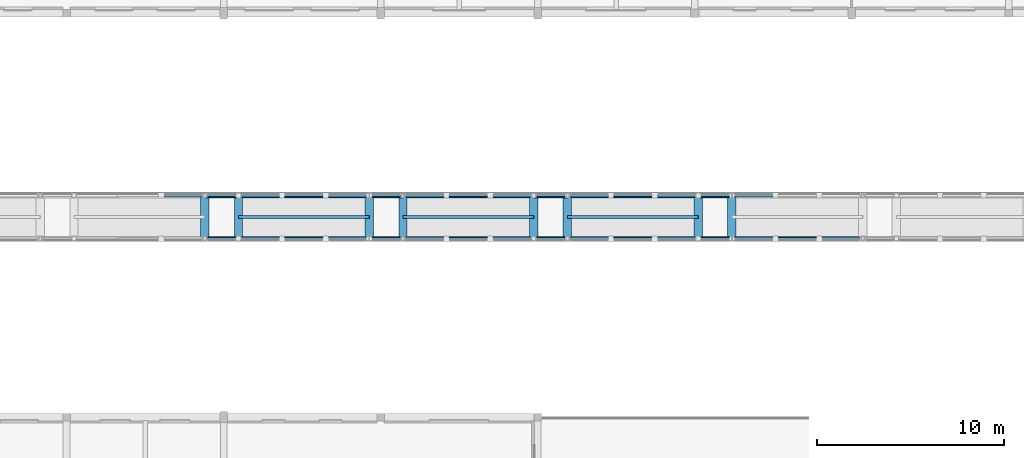
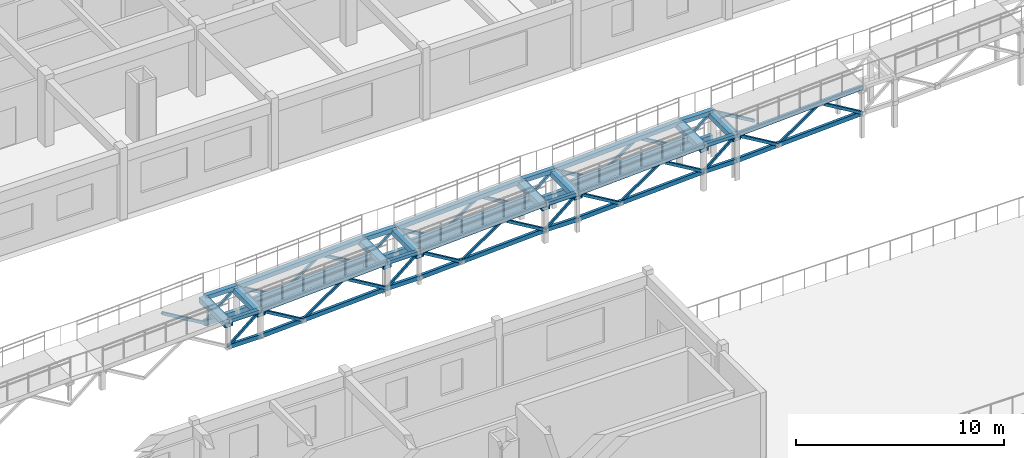
# One storey, part 9 of 41: 61 members, 11 beams.
"""IFC4 building model written with IfcOpenShell, lengths in metres."""

from ifc_helpers import new_model, si_unit, direction, frame, origin, origin_2d, place, context, subcontext, project, spatial, hollow_rectangle, i_section, extrude, material, material_profile, profile_set, type_object, element, save


model = new_model("IFC4")

# Units and contexts
model_context = context("Model", 3, precision=1e-05, world=origin(), true_north=direction((0.0, 1.0)))
body_context = subcontext(model_context, "Body", "Model", "MODEL_VIEW")
ifc_project = project(units=[si_unit("LENGTHUNIT", "METRE"), si_unit("AREAUNIT", "SQUARE_METRE"), si_unit("VOLUMEUNIT", "CUBIC_METRE"), si_unit("PLANEANGLEUNIT", "RADIAN"), si_unit("MASSUNIT", "GRAM", prefix="KILO")], contexts=[model_context])

# Site, building, storey
site_placement = place(None, origin())
site = spatial("IfcSite", under=ifc_project, at=site_placement, CompositionType="ELEMENT")
building_placement = place(site_placement, origin())
building = spatial("IfcBuilding", under=site, at=building_placement, Name="Malvenik Polytechnic", CompositionType="ELEMENT")
storey_placement = place(building_placement, frame((0.0, 0.0, 17.699951171875)))
storey = spatial("IfcBuildingStorey", under=building, at=storey_placement, Name="L04", CompositionType="ELEMENT", Elevation=17.699951171875)

# Beams
ifc_material_1 = material(Name="Steel S355J2H", Category="steel")
ifc_material_profile_1 = material_profile(ifc_material_1, hollow_rectangle(XDim=0.449951171875, YDim=0.300048828125, WallThickness=0.012451171875, at=origin_2d()), Name="RHS 450x300x12.5")
ifc_profile_set_1 = profile_set([ifc_material_profile_1], Name="Steel S355J2H")
beam_type_1 = type_object("IfcBeamType", Name="STR-BM-SB-07", PredefinedType="BEAM", material=ifc_profile_set_1)
for number, where, z_axis, x_axis, name in (
    (1, (66.199951171875, 103.050048828125, 1.382080078125), (0.0, 1.0, 0.0), (-1.0, 0.0, 0.0), "Ramp Joint Transom RB-03 #9"),
    (2, (68.0, 103.050048828125, 1.382080078125), (0.0, 1.0, 0.0), (-1.0, 0.0, 0.0), "Ramp Joint Transom RB-03 #10"),
    (3, (75.0, 103.050048828125, 1.73193359375), (0.0, 1.0, 0.0), (-1.0, 0.0, 0.0), "Ramp Joint Transom RB-03 #11"),
    (4, (76.800048828125, 103.050048828125, 1.73193359375), (0.0, 1.0, 0.0), (-1.0, 0.0, 0.0), "Ramp Joint Transom RB-03 #12"),
    (5, (83.800048828125, 103.050048828125, 2.08203125), (0.0, 1.0, 0.0), (-1.0, 0.0, 0.0), "Ramp Joint Transom RB-03 #13"),
    (6, (85.60009765625, 103.050048828125, 2.08203125), (0.0, 1.0, 0.0), (-1.0, 0.0, 0.0), "Ramp Joint Transom RB-03 #14"),
    (7, (92.60009765625, 103.050048828125, 2.43212890625), (0.0, 1.0, 0.0), (-1.0, 0.0, 0.0), "Ramp Joint Transom RB-03 #15"),
    (8, (94.39990234375, 103.050048828125, 2.43212890625), (0.0, 1.0, 0.0), (-1.0, 0.0, 0.0), "Ramp Joint Transom RB-03 #16"),
):
    element("IfcBeam", number, at=place(storey_placement, frame(where, z_axis=z_axis, x_axis=x_axis)), inside=storey, type_object=beam_type_1, Name=name, PredefinedType="BEAM", context=body_context, shape_type="SweptSolid", body=[
        extrude(hollow_rectangle(XDim=0.449951171875, YDim=0.300048828125, WallThickness=0.012451171875, at=origin_2d()), origin(), (0.0, 0.0, 1.0), 2.5),
    ])
ifc_material_2 = material(Name="Steel S355", Category="steel")
ifc_material_profile_2 = material_profile(ifc_material_2, i_section(OverallWidth=0.14990234375, OverallDepth=0.300048828125, WebThickness=0.007080078125, FlangeThickness=0.0107421875, FilletRadius=0.014892578125, at=origin_2d()), Name="IPE 300")
ifc_profile_set_2 = profile_set([ifc_material_profile_2], Name="Steel S355")
beam_type_2 = type_object("IfcBeamType", Name="STR-BM-SB-09", PredefinedType="JOIST", material=ifc_profile_set_2)
for number, where, z_axis, x_axis, name in (
    (9, (68.0, 104.300048828125, 1.324951171875), (0.998751643845, 0.0, 0.049951515669), (0.0, 1.0, 0.0), "Ramp Centreline Stringer RB-03 #10"),
    (10, (76.800048828125, 104.300048828125, 1.675048828125), (0.998751643845, 0.0, 0.049951515669), (0.0, 1.0, 0.0), "Ramp Centreline Stringer RB-03 #12"),
    (11, (85.60009765625, 104.300048828125, 2.025146484375), (0.998753381067, 0.0, 0.049916768801), (0.0, 1.0, 0.0), "Ramp Centreline Stringer RB-03 #14"),
):
    element("IfcBeam", number, at=place(storey_placement, frame(where, z_axis=z_axis, x_axis=x_axis)), inside=storey, type_object=beam_type_2, Name=name, PredefinedType="JOIST", context=body_context, shape_type="SweptSolid", body=[
        extrude(i_section(OverallWidth=0.14990234375, OverallDepth=0.300048828125, WebThickness=0.007080078125, FlangeThickness=0.0107421875, FilletRadius=0.014892578125, at=origin_2d()), origin(), (0.0, 0.0, 1.0), 7.0087890625),
    ])

# Members
ifc_material_profile_3 = material_profile(ifc_material_1, hollow_rectangle(XDim=0.14990234375, YDim=0.25, WallThickness=0.010009765625, at=origin_2d()), Name="RHS 250x150x10.0")
ifc_profile_set_3 = profile_set([ifc_material_profile_3], Name="Steel S355J2H")
member_type_1 = type_object("IfcMemberType", Name="STR-MEM-TRB-01", PredefinedType="CHORD", material=ifc_profile_set_3)
member_1_placement = place(storey_placement, frame((66.2041015625, 103.14990234375, 0.030029296875), z_axis=(1.0, 0.0, 0.0), x_axis=(0.0, 1.0, 0.0)))
element("IfcMember", 12, at=member_1_placement, inside=storey, type_object=member_type_1, Name="Space-Frame Tube TRB-01 STR-TR-BC-RB-03-1-09", PredefinedType="CHORD", context=body_context, shape_type="SweptSolid", body=[
    extrude(hollow_rectangle(XDim=0.14990234375, YDim=0.25, WallThickness=0.010009765625, at=origin_2d()), origin(), (0.0, 0.0, 1.0), 1.7919921875),
])
member_2_placement = place(storey_placement, frame((68.00390625, 103.14990234375, 0.0302734375), z_axis=(0.998752338878, 0.0, 0.049937616944), x_axis=(0.0, 1.0, 0.0)))
element("IfcMember", 13, at=member_2_placement, inside=storey, type_object=member_type_1, Name="Space-Frame Tube TRB-01 STR-TR-BC-RB-03-1-10", PredefinedType="CHORD", context=body_context, shape_type="SweptSolid", body=[
    extrude(hollow_rectangle(XDim=0.14990234375, YDim=0.25, WallThickness=0.010009765625, at=origin_2d()), origin(), (0.0, 0.0, 1.0), 7.0009765625),
])
member_3_placement = place(storey_placement, frame((75.00390625, 103.14990234375, 0.380126953125), z_axis=(1.0, 0.0, 0.0), x_axis=(0.0, 1.0, 0.0)))
element("IfcMember", 14, at=member_3_placement, inside=storey, type_object=member_type_1, Name="Space-Frame Tube TRB-01 STR-TR-BC-RB-03-1-11", PredefinedType="CHORD", context=body_context, shape_type="SweptSolid", body=[
    extrude(hollow_rectangle(XDim=0.14990234375, YDim=0.25, WallThickness=0.010009765625, at=origin_2d()), origin(), (0.0, 0.0, 1.0), 1.7919921875),
])
member_4_placement = place(storey_placement, frame((76.803955078125, 103.14990234375, 0.380126953125), z_axis=(0.998752251909, 0.0, 0.049939356288), x_axis=(0.0, 1.0, 0.0)))
element("IfcMember", 15, at=member_4_placement, inside=storey, type_object=member_type_1, Name="Space-Frame Tube TRB-01 STR-TR-BC-RB-03-1-12", PredefinedType="CHORD", context=body_context, shape_type="SweptSolid", body=[
    extrude(hollow_rectangle(XDim=0.14990234375, YDim=0.25, WallThickness=0.010009765625, at=origin_2d()), origin(), (0.0, 0.0, 1.0), 7.000732421875),
])
member_5_placement = place(storey_placement, frame((83.803955078125, 103.14990234375, 0.72998046875), z_axis=(1.0, 0.0, 0.0), x_axis=(0.0, 1.0, 0.0)))
element("IfcMember", 16, at=member_5_placement, inside=storey, type_object=member_type_1, Name="Space-Frame Tube TRB-01 STR-TR-BC-RB-03-1-13", PredefinedType="CHORD", context=body_context, shape_type="SweptSolid", body=[
    extrude(hollow_rectangle(XDim=0.14990234375, YDim=0.25, WallThickness=0.010009765625, at=origin_2d()), origin(), (0.0, 0.0, 1.0), 1.7919921875),
])
member_6_placement = place(storey_placement, frame((85.60400390625, 103.14990234375, 0.730224609375), z_axis=(0.998752251909, 0.0, 0.049939356288), x_axis=(0.0, 1.0, 0.0)))
element("IfcMember", 17, at=member_6_placement, inside=storey, type_object=member_type_1, Name="Space-Frame Tube TRB-01 STR-TR-BC-RB-03-1-14", PredefinedType="CHORD", context=body_context, shape_type="SweptSolid", body=[
    extrude(hollow_rectangle(XDim=0.14990234375, YDim=0.25, WallThickness=0.010009765625, at=origin_2d()), origin(), (0.0, 0.0, 1.0), 7.000732421875),
])
member_7_placement = place(storey_placement, frame((92.60400390625, 103.14990234375, 1.080078125), z_axis=(1.0, 0.0, 0.0), x_axis=(0.0, 1.0, 0.0)))
element("IfcMember", 18, at=member_7_placement, inside=storey, type_object=member_type_1, Name="Space-Frame Tube TRB-01 STR-TR-BC-RB-03-1-15", PredefinedType="CHORD", context=body_context, shape_type="SweptSolid", body=[
    extrude(hollow_rectangle(XDim=0.14990234375, YDim=0.25, WallThickness=0.010009765625, at=origin_2d()), origin(), (0.0, 0.0, 1.0), 1.7919921875),
])
member_8_placement = place(storey_placement, frame((94.404052734375, 103.14990234375, 1.080322265625), z_axis=(0.998752251909, 0.0, 0.049939356288), x_axis=(0.0, 1.0, 0.0)))
element("IfcMember", 19, at=member_8_placement, inside=storey, type_object=member_type_1, Name="Space-Frame Tube TRB-01 STR-TR-BC-RB-03-1-16", PredefinedType="CHORD", context=body_context, shape_type="SweptSolid", body=[
    extrude(hollow_rectangle(XDim=0.14990234375, YDim=0.25, WallThickness=0.010009765625, at=origin_2d()), origin(), (0.0, 0.0, 1.0), 7.000732421875),
])
ifc_material_profile_4 = material_profile(ifc_material_1, hollow_rectangle(XDim=0.199951171875, YDim=0.300048828125, WallThickness=0.010009765625, at=origin_2d()), Name="RHS 300x200x10.0")
ifc_profile_set_4 = profile_set([ifc_material_profile_4], Name="Steel S355J2H")
member_type_2 = type_object("IfcMemberType", Name="STR-MEM-TRB-02", PredefinedType="CHORD", material=ifc_profile_set_4)
member_9_placement = place(storey_placement, frame((66.2041015625, 105.449951171875, 0.030029296875), z_axis=(1.0, 0.0, 0.0), x_axis=(0.0, 1.0, 0.0)))
element("IfcMember", 20, at=member_9_placement, inside=storey, type_object=member_type_2, Name="Space-Frame Tube TRB-02 STR-TR-BC-RB-03-2-09", PredefinedType="CHORD", context=body_context, shape_type="SweptSolid", body=[
    extrude(hollow_rectangle(XDim=0.199951171875, YDim=0.300048828125, WallThickness=0.010009765625, at=origin_2d()), origin(), (0.0, 0.0, 1.0), 1.7919921875),
])
member_10_placement = place(storey_placement, frame((68.00390625, 105.449951171875, 0.0302734375), z_axis=(0.998752338878, 0.0, 0.049937616944), x_axis=(0.0, 1.0, 0.0)))
element("IfcMember", 21, at=member_10_placement, inside=storey, type_object=member_type_2, Name="Space-Frame Tube TRB-02 STR-TR-BC-RB-03-2-10", PredefinedType="CHORD", context=body_context, shape_type="SweptSolid", body=[
    extrude(hollow_rectangle(XDim=0.199951171875, YDim=0.300048828125, WallThickness=0.010009765625, at=origin_2d()), origin(), (0.0, 0.0, 1.0), 7.0009765625),
])
member_11_placement = place(storey_placement, frame((75.00390625, 105.449951171875, 0.380126953125), z_axis=(1.0, 0.0, 0.0), x_axis=(0.0, 1.0, 0.0)))
element("IfcMember", 22, at=member_11_placement, inside=storey, type_object=member_type_2, Name="Space-Frame Tube TRB-02 STR-TR-BC-RB-03-2-11", PredefinedType="CHORD", context=body_context, shape_type="SweptSolid", body=[
    extrude(hollow_rectangle(XDim=0.199951171875, YDim=0.300048828125, WallThickness=0.010009765625, at=origin_2d()), origin(), (0.0, 0.0, 1.0), 1.7919921875),
])
member_12_placement = place(storey_placement, frame((76.803955078125, 105.449951171875, 0.380126953125), z_axis=(0.998752251909, 0.0, 0.049939356288), x_axis=(0.0, 1.0, 0.0)))
element("IfcMember", 23, at=member_12_placement, inside=storey, type_object=member_type_2, Name="Space-Frame Tube TRB-02 STR-TR-BC-RB-03-2-12", PredefinedType="CHORD", context=body_context, shape_type="SweptSolid", body=[
    extrude(hollow_rectangle(XDim=0.199951171875, YDim=0.300048828125, WallThickness=0.010009765625, at=origin_2d()), origin(), (0.0, 0.0, 1.0), 7.000732421875),
])
member_13_placement = place(storey_placement, frame((83.803955078125, 105.449951171875, 0.72998046875), z_axis=(1.0, 0.0, 0.0), x_axis=(0.0, 1.0, 0.0)))
element("IfcMember", 24, at=member_13_placement, inside=storey, type_object=member_type_2, Name="Space-Frame Tube TRB-02 STR-TR-BC-RB-03-2-13", PredefinedType="CHORD", context=body_context, shape_type="SweptSolid", body=[
    extrude(hollow_rectangle(XDim=0.199951171875, YDim=0.300048828125, WallThickness=0.010009765625, at=origin_2d()), origin(), (0.0, 0.0, 1.0), 1.7919921875),
])
member_14_placement = place(storey_placement, frame((85.60400390625, 105.449951171875, 0.730224609375), z_axis=(0.998752251909, 0.0, 0.049939356288), x_axis=(0.0, 1.0, 0.0)))
element("IfcMember", 25, at=member_14_placement, inside=storey, type_object=member_type_2, Name="Space-Frame Tube TRB-02 STR-TR-BC-RB-03-2-14", PredefinedType="CHORD", context=body_context, shape_type="SweptSolid", body=[
    extrude(hollow_rectangle(XDim=0.199951171875, YDim=0.300048828125, WallThickness=0.010009765625, at=origin_2d()), origin(), (0.0, 0.0, 1.0), 7.000732421875),
])
member_15_placement = place(storey_placement, frame((92.60400390625, 105.449951171875, 1.080078125), z_axis=(1.0, 0.0, 0.0), x_axis=(0.0, 1.0, 0.0)))
element("IfcMember", 26, at=member_15_placement, inside=storey, type_object=member_type_2, Name="Space-Frame Tube TRB-02 STR-TR-BC-RB-03-2-15", PredefinedType="CHORD", context=body_context, shape_type="SweptSolid", body=[
    extrude(hollow_rectangle(XDim=0.199951171875, YDim=0.300048828125, WallThickness=0.010009765625, at=origin_2d()), origin(), (0.0, 0.0, 1.0), 1.7919921875),
])
ifc_material_profile_5 = material_profile(ifc_material_1, hollow_rectangle(XDim=0.14990234375, YDim=0.14990234375, WallThickness=0.008056640625, at=origin_2d()), Name="SHS 150x150x8.0")
ifc_profile_set_5 = profile_set([ifc_material_profile_5], Name="Steel S355J2H")
member_type_3 = type_object("IfcMemberType", Name="STR-MEM-TRD-01", PredefinedType="BRACE", material=ifc_profile_set_5)
for number, where, z_axis, x_axis, name in (
    (27, (68.00341796875, 103.14990234375, 1.528076171875), (0.860165406805, 0.0, -0.51001516932), (0.0, 1.0, 0.0), "Space-Frame Tube TRD-01 STR-TRD-01-RB-03-1-10"),
    (28, (72.670166015625, 103.14990234375, 1.76123046875), (0.860205006447, 0.0, -0.509948376684), (0.0, 1.0, 0.0), "Space-Frame Tube TRD-01 STR-TRD-03-RB-03-1-10"),
    (29, (76.803466796875, 103.14990234375, 1.8779296875), (0.860205006447, 0.0, -0.509948376684), (0.0, 1.0, 0.0), "Space-Frame Tube TRD-01 STR-TRD-01-RB-03-1-12"),
    (30, (81.47021484375, 103.14990234375, 2.111328125), (0.860165406805, 0.0, -0.51001516932), (0.0, 1.0, 0.0), "Space-Frame Tube TRD-01 STR-TRD-03-RB-03-1-12"),
    (31, (85.603515625, 103.14990234375, 2.22802734375), (0.860165406805, 0.0, -0.51001516932), (0.0, 1.0, 0.0), "Space-Frame Tube TRD-01 STR-TRD-01-RB-03-1-14"),
):
    element("IfcMember", number, at=place(storey_placement, frame(where, z_axis=z_axis, x_axis=x_axis)), inside=storey, type_object=member_type_3, Name=name, PredefinedType="BRACE", context=body_context, shape_type="SweptSolid", body=[
        extrude(hollow_rectangle(XDim=0.14990234375, YDim=0.14990234375, WallThickness=0.008056640625, at=origin_2d()), origin(), (0.0, 0.0, 1.0), 2.70458984375),
    ])
for number, where, z_axis, x_axis, name in (
    (32, (90.27001953125, 103.14990234375, 2.46142578125), (0.860188884219, 0.0, -0.509975571441), (0.0, 1.0, 0.0), "Space-Frame Tube TRD-01 STR-TRD-03-RB-03-1-14"),
    (33, (94.4033203125, 103.14990234375, 2.578125), (0.860188884219, 0.0, -0.509975571441), (0.0, 1.0, 0.0), "Space-Frame Tube TRD-01 STR-TRD-01-RB-03-1-16"),
):
    element("IfcMember", number, at=place(storey_placement, frame(where, z_axis=z_axis, x_axis=x_axis)), inside=storey, type_object=member_type_3, Name=name, PredefinedType="BRACE", context=body_context, shape_type="SweptSolid", body=[
        extrude(hollow_rectangle(XDim=0.14990234375, YDim=0.14990234375, WallThickness=0.008056640625, at=origin_2d()), origin(), (0.0, 0.0, 1.0), 2.704833984375),
    ])
for number, where, z_axis, x_axis, name in (
    (34, (99.070068359375, 103.14990234375, 2.811279296875), (0.860205006447, 0.0, -0.509948376684), (0.0, 1.0, 0.0), "Space-Frame Tube TRD-01 STR-TRD-03-RB-03-1-16"),
    (35, (63.8701171875, 105.449951171875, 1.411376953125), (0.860165406805, 0.0, -0.51001516932), (0.0, 1.0, 0.0), "Space-Frame Tube TRD-01 STR-TRD-03-RB-03-2-08"),
    (36, (68.00341796875, 105.449951171875, 1.528076171875), (0.860165406805, 0.0, -0.51001516932), (0.0, 1.0, 0.0), "Space-Frame Tube TRD-01 STR-TRD-01-RB-03-2-10"),
    (37, (72.670166015625, 105.449951171875, 1.76123046875), (0.860205006447, 0.0, -0.509948376684), (0.0, 1.0, 0.0), "Space-Frame Tube TRD-01 STR-TRD-03-RB-03-2-10"),
    (38, (76.803466796875, 105.449951171875, 1.8779296875), (0.860205006447, 0.0, -0.509948376684), (0.0, 1.0, 0.0), "Space-Frame Tube TRD-01 STR-TRD-01-RB-03-2-12"),
    (39, (81.47021484375, 105.449951171875, 2.111328125), (0.860165406805, 0.0, -0.51001516932), (0.0, 1.0, 0.0), "Space-Frame Tube TRD-01 STR-TRD-03-RB-03-2-12"),
    (40, (85.603515625, 105.449951171875, 2.22802734375), (0.860165406805, 0.0, -0.51001516932), (0.0, 1.0, 0.0), "Space-Frame Tube TRD-01 STR-TRD-01-RB-03-2-14"),
):
    element("IfcMember", number, at=place(storey_placement, frame(where, z_axis=z_axis, x_axis=x_axis)), inside=storey, type_object=member_type_3, Name=name, PredefinedType="BRACE", context=body_context, shape_type="SweptSolid", body=[
        extrude(hollow_rectangle(XDim=0.14990234375, YDim=0.14990234375, WallThickness=0.008056640625, at=origin_2d()), origin(), (0.0, 0.0, 1.0), 2.70458984375),
    ])
for number, where, z_axis, x_axis, name in (
    (41, (90.27001953125, 105.449951171875, 2.46142578125), (0.860188884219, 0.0, -0.509975571441), (0.0, 1.0, 0.0), "Space-Frame Tube TRD-01 STR-TRD-03-RB-03-2-14"),
    (42, (94.4033203125, 105.449951171875, 2.578125), (0.860188884219, 0.0, -0.509975571441), (0.0, 1.0, 0.0), "Space-Frame Tube TRD-01 STR-TRD-01-RB-03-2-16"),
):
    element("IfcMember", number, at=place(storey_placement, frame(where, z_axis=z_axis, x_axis=x_axis)), inside=storey, type_object=member_type_3, Name=name, PredefinedType="BRACE", context=body_context, shape_type="SweptSolid", body=[
        extrude(hollow_rectangle(XDim=0.14990234375, YDim=0.14990234375, WallThickness=0.008056640625, at=origin_2d()), origin(), (0.0, 0.0, 1.0), 2.704833984375),
    ])
ifc_material_profile_6 = material_profile(ifc_material_1, hollow_rectangle(XDim=0.1201171875, YDim=0.1201171875, WallThickness=0.00634765625, at=origin_2d()), Name="SHS 120x120x6.3")
ifc_profile_set_6 = profile_set([ifc_material_profile_6], Name="Steel S355J2H")
member_type_4 = type_object("IfcMemberType", Name="STR-MEM-TRD-02", PredefinedType="BRACE", material=ifc_profile_set_6)
member_16_placement = place(storey_placement, frame((66.203125, 103.14990234375, 0.03271484375), z_axis=(0.768246991948, 0.0, 0.640153543583), x_axis=(0.0, 1.0, 0.0)))
element("IfcMember", 43, at=member_16_placement, inside=storey, type_object=member_type_4, Name="Space-Frame Tube TRD-02 STR-TR-DGL-RB-03-1-09", PredefinedType="BRACE", context=body_context, shape_type="SweptSolid", body=[
    extrude(hollow_rectangle(XDim=0.1201171875, YDim=0.1201171875, WallThickness=0.00634765625, at=origin_2d()), origin(), (0.0, 0.0, 1.0), 2.334716796875),
])
member_17_placement = place(storey_placement, frame((70.336669921875, 103.14990234375, 0.149169921875), z_axis=(0.822018261481, 0.0, 0.569461129307), x_axis=(0.0, 1.0, 0.0)))
element("IfcMember", 44, at=member_17_placement, inside=storey, type_object=member_type_4, Name="Space-Frame Tube TRD-02 STR-TRD-02-RB-03-1-10", PredefinedType="BRACE", context=body_context, shape_type="SweptSolid", body=[
    extrude(hollow_rectangle(XDim=0.1201171875, YDim=0.1201171875, WallThickness=0.00634765625, at=origin_2d()), origin(), (0.0, 0.0, 1.0), 2.830322265625),
])
member_18_placement = place(storey_placement, frame((75.003173828125, 103.14990234375, 0.382568359375), z_axis=(0.768195567728, 0.0, 0.640215252647), x_axis=(0.0, 1.0, 0.0)))
element("IfcMember", 45, at=member_18_placement, inside=storey, type_object=member_type_4, Name="Space-Frame Tube TRD-02 STR-TR-DGL-RB-03-1-11", PredefinedType="BRACE", context=body_context, shape_type="SweptSolid", body=[
    extrude(hollow_rectangle(XDim=0.1201171875, YDim=0.1201171875, WallThickness=0.00634765625, at=origin_2d()), origin(), (0.0, 0.0, 1.0), 2.3349609375),
])
member_19_placement = place(storey_placement, frame((79.13671875, 103.14990234375, 0.4990234375), z_axis=(0.821977884392, 0.0, 0.569519409301), x_axis=(0.0, 1.0, 0.0)))
element("IfcMember", 46, at=member_19_placement, inside=storey, type_object=member_type_4, Name="Space-Frame Tube TRD-02 STR-TRD-02-RB-03-1-12", PredefinedType="BRACE", context=body_context, shape_type="SweptSolid", body=[
    extrude(hollow_rectangle(XDim=0.1201171875, YDim=0.1201171875, WallThickness=0.00634765625, at=origin_2d()), origin(), (0.0, 0.0, 1.0), 2.83056640625),
])
member_20_placement = place(storey_placement, frame((83.802978515625, 103.14990234375, 0.732666015625), z_axis=(0.768238418778, 0.0, 0.640163832088), x_axis=(0.0, 1.0, 0.0)))
element("IfcMember", 47, at=member_20_placement, inside=storey, type_object=member_type_4, Name="Space-Frame Tube TRD-02 STR-TR-DGL-RB-03-1-13", PredefinedType="BRACE", context=body_context, shape_type="SweptSolid", body=[
    extrude(hollow_rectangle(XDim=0.1201171875, YDim=0.1201171875, WallThickness=0.00634765625, at=origin_2d()), origin(), (0.0, 0.0, 1.0), 2.335205078125),
])
member_21_placement = place(storey_placement, frame((87.9365234375, 103.14990234375, 0.84912109375), z_axis=(0.822046230069, 0.0, 0.569420754477), x_axis=(0.0, 1.0, 0.0)))
element("IfcMember", 48, at=member_21_placement, inside=storey, type_object=member_type_4, Name="Space-Frame Tube TRD-02 STR-TRD-02-RB-03-1-14", PredefinedType="BRACE", context=body_context, shape_type="SweptSolid", body=[
    extrude(hollow_rectangle(XDim=0.1201171875, YDim=0.1201171875, WallThickness=0.00634765625, at=origin_2d()), origin(), (0.0, 0.0, 1.0), 2.83056640625),
])
member_22_placement = place(storey_placement, frame((92.60302734375, 103.14990234375, 1.082763671875), z_axis=(0.768289837605, 0.0, 0.640102121097), x_axis=(0.0, 1.0, 0.0)))
element("IfcMember", 49, at=member_22_placement, inside=storey, type_object=member_type_4, Name="Space-Frame Tube TRD-02 STR-TR-DGL-RB-03-1-15", PredefinedType="BRACE", context=body_context, shape_type="SweptSolid", body=[
    extrude(hollow_rectangle(XDim=0.1201171875, YDim=0.1201171875, WallThickness=0.00634765625, at=origin_2d()), origin(), (0.0, 0.0, 1.0), 2.3349609375),
])
member_23_placement = place(storey_placement, frame((96.736572265625, 103.14990234375, 1.198974609375), z_axis=(0.822005857331, 0.0, 0.569479034305), x_axis=(0.0, 1.0, 0.0)))
element("IfcMember", 50, at=member_23_placement, inside=storey, type_object=member_type_4, Name="Space-Frame Tube TRD-02 STR-TRD-02-RB-03-1-16", PredefinedType="BRACE", context=body_context, shape_type="SweptSolid", body=[
    extrude(hollow_rectangle(XDim=0.1201171875, YDim=0.1201171875, WallThickness=0.00634765625, at=origin_2d()), origin(), (0.0, 0.0, 1.0), 2.830810546875),
])
member_24_placement = place(storey_placement, frame((66.203125, 105.449951171875, 0.03271484375), z_axis=(0.768246991948, 0.0, 0.640153543583), x_axis=(0.0, 1.0, 0.0)))
element("IfcMember", 51, at=member_24_placement, inside=storey, type_object=member_type_4, Name="Space-Frame Tube TRD-02 STR-TR-DGL-RB-03-2-09", PredefinedType="BRACE", context=body_context, shape_type="SweptSolid", body=[
    extrude(hollow_rectangle(XDim=0.1201171875, YDim=0.1201171875, WallThickness=0.00634765625, at=origin_2d()), origin(), (0.0, 0.0, 1.0), 2.334716796875),
])
member_25_placement = place(storey_placement, frame((70.336669921875, 105.449951171875, 0.149169921875), z_axis=(0.822018261481, 0.0, 0.569461129307), x_axis=(0.0, 1.0, 0.0)))
element("IfcMember", 52, at=member_25_placement, inside=storey, type_object=member_type_4, Name="Space-Frame Tube TRD-02 STR-TRD-02-RB-03-2-10", PredefinedType="BRACE", context=body_context, shape_type="SweptSolid", body=[
    extrude(hollow_rectangle(XDim=0.1201171875, YDim=0.1201171875, WallThickness=0.00634765625, at=origin_2d()), origin(), (0.0, 0.0, 1.0), 2.830322265625),
])
member_26_placement = place(storey_placement, frame((75.003173828125, 105.449951171875, 0.382568359375), z_axis=(0.768195567728, 0.0, 0.640215252647), x_axis=(0.0, 1.0, 0.0)))
element("IfcMember", 53, at=member_26_placement, inside=storey, type_object=member_type_4, Name="Space-Frame Tube TRD-02 STR-TR-DGL-RB-03-2-11", PredefinedType="BRACE", context=body_context, shape_type="SweptSolid", body=[
    extrude(hollow_rectangle(XDim=0.1201171875, YDim=0.1201171875, WallThickness=0.00634765625, at=origin_2d()), origin(), (0.0, 0.0, 1.0), 2.3349609375),
])
member_27_placement = place(storey_placement, frame((79.13671875, 105.449951171875, 0.4990234375), z_axis=(0.821977884392, 0.0, 0.569519409301), x_axis=(0.0, 1.0, 0.0)))
element("IfcMember", 54, at=member_27_placement, inside=storey, type_object=member_type_4, Name="Space-Frame Tube TRD-02 STR-TRD-02-RB-03-2-12", PredefinedType="BRACE", context=body_context, shape_type="SweptSolid", body=[
    extrude(hollow_rectangle(XDim=0.1201171875, YDim=0.1201171875, WallThickness=0.00634765625, at=origin_2d()), origin(), (0.0, 0.0, 1.0), 2.83056640625),
])
member_28_placement = place(storey_placement, frame((83.802978515625, 105.449951171875, 0.732666015625), z_axis=(0.768238418778, 0.0, 0.640163832088), x_axis=(0.0, 1.0, 0.0)))
element("IfcMember", 55, at=member_28_placement, inside=storey, type_object=member_type_4, Name="Space-Frame Tube TRD-02 STR-TR-DGL-RB-03-2-13", PredefinedType="BRACE", context=body_context, shape_type="SweptSolid", body=[
    extrude(hollow_rectangle(XDim=0.1201171875, YDim=0.1201171875, WallThickness=0.00634765625, at=origin_2d()), origin(), (0.0, 0.0, 1.0), 2.335205078125),
])
member_29_placement = place(storey_placement, frame((87.9365234375, 105.449951171875, 0.84912109375), z_axis=(0.822046230069, 0.0, 0.569420754477), x_axis=(0.0, 1.0, 0.0)))
element("IfcMember", 56, at=member_29_placement, inside=storey, type_object=member_type_4, Name="Space-Frame Tube TRD-02 STR-TRD-02-RB-03-2-14", PredefinedType="BRACE", context=body_context, shape_type="SweptSolid", body=[
    extrude(hollow_rectangle(XDim=0.1201171875, YDim=0.1201171875, WallThickness=0.00634765625, at=origin_2d()), origin(), (0.0, 0.0, 1.0), 2.83056640625),
])
member_30_placement = place(storey_placement, frame((92.60302734375, 105.449951171875, 1.082763671875), z_axis=(0.768289837605, 0.0, 0.640102121097), x_axis=(0.0, 1.0, 0.0)))
element("IfcMember", 57, at=member_30_placement, inside=storey, type_object=member_type_4, Name="Space-Frame Tube TRD-02 STR-TR-DGL-RB-03-2-15", PredefinedType="BRACE", context=body_context, shape_type="SweptSolid", body=[
    extrude(hollow_rectangle(XDim=0.1201171875, YDim=0.1201171875, WallThickness=0.00634765625, at=origin_2d()), origin(), (0.0, 0.0, 1.0), 2.3349609375),
])
ifc_material_profile_7 = material_profile(ifc_material_1, hollow_rectangle(XDim=0.199951171875, YDim=0.199951171875, WallThickness=0.010009765625, at=origin_2d()), Name="SHS 200x200x10.0")
ifc_profile_set_7 = profile_set([ifc_material_profile_7], Name="Steel S355J2H")
member_type_5 = type_object("IfcMemberType", Name="STR-MEM-TRT-01", PredefinedType="CHORD", material=ifc_profile_set_7)
member_31_placement = place(storey_placement, frame((66.2041015625, 103.14990234375, 1.530029296875), z_axis=(1.0, 0.0, 0.0), x_axis=(0.0, 1.0, 0.0)))
element("IfcMember", 58, at=member_31_placement, inside=storey, type_object=member_type_5, Name="Space-Frame Tube TRT-01 STR-TR-TC-RB-03-1-09", PredefinedType="CHORD", context=body_context, shape_type="SweptSolid", body=[
    extrude(hollow_rectangle(XDim=0.199951171875, YDim=0.199951171875, WallThickness=0.010009765625, at=origin_2d()), origin(), (0.0, 0.0, 1.0), 1.7919921875),
])
member_32_placement = place(storey_placement, frame((68.00390625, 103.14990234375, 1.5302734375), z_axis=(0.998752338878, 0.0, 0.049937616944), x_axis=(0.0, 1.0, 0.0)))
element("IfcMember", 59, at=member_32_placement, inside=storey, type_object=member_type_5, Name="Space-Frame Tube TRT-01 STR-TR-TC-RB-03-1-10", PredefinedType="CHORD", context=body_context, shape_type="SweptSolid", body=[
    extrude(hollow_rectangle(XDim=0.199951171875, YDim=0.199951171875, WallThickness=0.010009765625, at=origin_2d()), origin(), (0.0, 0.0, 1.0), 7.0009765625),
])
member_33_placement = place(storey_placement, frame((75.00390625, 103.14990234375, 1.880126953125), z_axis=(1.0, 0.0, 0.0), x_axis=(0.0, 1.0, 0.0)))
element("IfcMember", 60, at=member_33_placement, inside=storey, type_object=member_type_5, Name="Space-Frame Tube TRT-01 STR-TR-TC-RB-03-1-11", PredefinedType="CHORD", context=body_context, shape_type="SweptSolid", body=[
    extrude(hollow_rectangle(XDim=0.199951171875, YDim=0.199951171875, WallThickness=0.010009765625, at=origin_2d()), origin(), (0.0, 0.0, 1.0), 1.7919921875),
])
member_34_placement = place(storey_placement, frame((76.803955078125, 103.14990234375, 1.880126953125), z_axis=(0.998752251909, 0.0, 0.049939356288), x_axis=(0.0, 1.0, 0.0)))
element("IfcMember", 61, at=member_34_placement, inside=storey, type_object=member_type_5, Name="Space-Frame Tube TRT-01 STR-TR-TC-RB-03-1-12", PredefinedType="CHORD", context=body_context, shape_type="SweptSolid", body=[
    extrude(hollow_rectangle(XDim=0.199951171875, YDim=0.199951171875, WallThickness=0.010009765625, at=origin_2d()), origin(), (0.0, 0.0, 1.0), 7.000732421875),
])
member_35_placement = place(storey_placement, frame((83.803955078125, 103.14990234375, 2.22998046875), z_axis=(1.0, 0.0, 0.0), x_axis=(0.0, 1.0, 0.0)))
element("IfcMember", 62, at=member_35_placement, inside=storey, type_object=member_type_5, Name="Space-Frame Tube TRT-01 STR-TR-TC-RB-03-1-13", PredefinedType="CHORD", context=body_context, shape_type="SweptSolid", body=[
    extrude(hollow_rectangle(XDim=0.199951171875, YDim=0.199951171875, WallThickness=0.010009765625, at=origin_2d()), origin(), (0.0, 0.0, 1.0), 1.7919921875),
])
member_36_placement = place(storey_placement, frame((85.60400390625, 103.14990234375, 2.230224609375), z_axis=(0.998752251909, 0.0, 0.049939356288), x_axis=(0.0, 1.0, 0.0)))
element("IfcMember", 63, at=member_36_placement, inside=storey, type_object=member_type_5, Name="Space-Frame Tube TRT-01 STR-TR-TC-RB-03-1-14", PredefinedType="CHORD", context=body_context, shape_type="SweptSolid", body=[
    extrude(hollow_rectangle(XDim=0.199951171875, YDim=0.199951171875, WallThickness=0.010009765625, at=origin_2d()), origin(), (0.0, 0.0, 1.0), 7.000732421875),
])
member_37_placement = place(storey_placement, frame((92.60400390625, 103.14990234375, 2.580078125), z_axis=(1.0, 0.0, 0.0), x_axis=(0.0, 1.0, 0.0)))
element("IfcMember", 64, at=member_37_placement, inside=storey, type_object=member_type_5, Name="Space-Frame Tube TRT-01 STR-TR-TC-RB-03-1-15", PredefinedType="CHORD", context=body_context, shape_type="SweptSolid", body=[
    extrude(hollow_rectangle(XDim=0.199951171875, YDim=0.199951171875, WallThickness=0.010009765625, at=origin_2d()), origin(), (0.0, 0.0, 1.0), 1.7919921875),
])
member_38_placement = place(storey_placement, frame((94.404052734375, 103.14990234375, 2.580322265625), z_axis=(0.998752251909, 0.0, 0.049939356288), x_axis=(0.0, 1.0, 0.0)))
element("IfcMember", 65, at=member_38_placement, inside=storey, type_object=member_type_5, Name="Space-Frame Tube TRT-01 STR-TR-TC-RB-03-1-16", PredefinedType="CHORD", context=body_context, shape_type="SweptSolid", body=[
    extrude(hollow_rectangle(XDim=0.199951171875, YDim=0.199951171875, WallThickness=0.010009765625, at=origin_2d()), origin(), (0.0, 0.0, 1.0), 7.000732421875),
])
ifc_material_profile_8 = material_profile(ifc_material_1, hollow_rectangle(XDim=0.25, YDim=0.25, WallThickness=0.010009765625, at=origin_2d()), Name="SHS 250x250x10.0")
ifc_profile_set_8 = profile_set([ifc_material_profile_8], Name="Steel S355J2H")
member_type_6 = type_object("IfcMemberType", Name="STR-MEM-TRT-02", PredefinedType="CHORD", material=ifc_profile_set_8)
member_39_placement = place(storey_placement, frame((66.2041015625, 105.449951171875, 1.530029296875), z_axis=(1.0, 0.0, 0.0), x_axis=(0.0, 1.0, 0.0)))
element("IfcMember", 66, at=member_39_placement, inside=storey, type_object=member_type_6, Name="Space-Frame Tube TRT-02 STR-TR-TC-RB-03-2-09", PredefinedType="CHORD", context=body_context, shape_type="SweptSolid", body=[
    extrude(hollow_rectangle(XDim=0.25, YDim=0.25, WallThickness=0.010009765625, at=origin_2d()), origin(), (0.0, 0.0, 1.0), 1.7919921875),
])
member_40_placement = place(storey_placement, frame((68.00390625, 105.449951171875, 1.5302734375), z_axis=(0.998752338878, 0.0, 0.049937616944), x_axis=(0.0, 1.0, 0.0)))
element("IfcMember", 67, at=member_40_placement, inside=storey, type_object=member_type_6, Name="Space-Frame Tube TRT-02 STR-TR-TC-RB-03-2-10", PredefinedType="CHORD", context=body_context, shape_type="SweptSolid", body=[
    extrude(hollow_rectangle(XDim=0.25, YDim=0.25, WallThickness=0.010009765625, at=origin_2d()), origin(), (0.0, 0.0, 1.0), 7.0009765625),
])
member_41_placement = place(storey_placement, frame((75.00390625, 105.449951171875, 1.880126953125), z_axis=(1.0, 0.0, 0.0), x_axis=(0.0, 1.0, 0.0)))
element("IfcMember", 68, at=member_41_placement, inside=storey, type_object=member_type_6, Name="Space-Frame Tube TRT-02 STR-TR-TC-RB-03-2-11", PredefinedType="CHORD", context=body_context, shape_type="SweptSolid", body=[
    extrude(hollow_rectangle(XDim=0.25, YDim=0.25, WallThickness=0.010009765625, at=origin_2d()), origin(), (0.0, 0.0, 1.0), 1.7919921875),
])
member_42_placement = place(storey_placement, frame((76.803955078125, 105.449951171875, 1.880126953125), z_axis=(0.998752251909, 0.0, 0.049939356288), x_axis=(0.0, 1.0, 0.0)))
element("IfcMember", 69, at=member_42_placement, inside=storey, type_object=member_type_6, Name="Space-Frame Tube TRT-02 STR-TR-TC-RB-03-2-12", PredefinedType="CHORD", context=body_context, shape_type="SweptSolid", body=[
    extrude(hollow_rectangle(XDim=0.25, YDim=0.25, WallThickness=0.010009765625, at=origin_2d()), origin(), (0.0, 0.0, 1.0), 7.000732421875),
])
member_43_placement = place(storey_placement, frame((83.803955078125, 105.449951171875, 2.22998046875), z_axis=(1.0, 0.0, 0.0), x_axis=(0.0, 1.0, 0.0)))
element("IfcMember", 70, at=member_43_placement, inside=storey, type_object=member_type_6, Name="Space-Frame Tube TRT-02 STR-TR-TC-RB-03-2-13", PredefinedType="CHORD", context=body_context, shape_type="SweptSolid", body=[
    extrude(hollow_rectangle(XDim=0.25, YDim=0.25, WallThickness=0.010009765625, at=origin_2d()), origin(), (0.0, 0.0, 1.0), 1.7919921875),
])
member_44_placement = place(storey_placement, frame((85.60400390625, 105.449951171875, 2.230224609375), z_axis=(0.998752251909, 0.0, 0.049939356288), x_axis=(0.0, 1.0, 0.0)))
element("IfcMember", 71, at=member_44_placement, inside=storey, type_object=member_type_6, Name="Space-Frame Tube TRT-02 STR-TR-TC-RB-03-2-14", PredefinedType="CHORD", context=body_context, shape_type="SweptSolid", body=[
    extrude(hollow_rectangle(XDim=0.25, YDim=0.25, WallThickness=0.010009765625, at=origin_2d()), origin(), (0.0, 0.0, 1.0), 7.000732421875),
])
member_45_placement = place(storey_placement, frame((92.60400390625, 105.449951171875, 2.580078125), z_axis=(1.0, 0.0, 0.0), x_axis=(0.0, 1.0, 0.0)))
element("IfcMember", 72, at=member_45_placement, inside=storey, type_object=member_type_6, Name="Space-Frame Tube TRT-02 STR-TR-TC-RB-03-2-15", PredefinedType="CHORD", context=body_context, shape_type="SweptSolid", body=[
    extrude(hollow_rectangle(XDim=0.25, YDim=0.25, WallThickness=0.010009765625, at=origin_2d()), origin(), (0.0, 0.0, 1.0), 1.7919921875),
])

save(model, "model.ifc")
